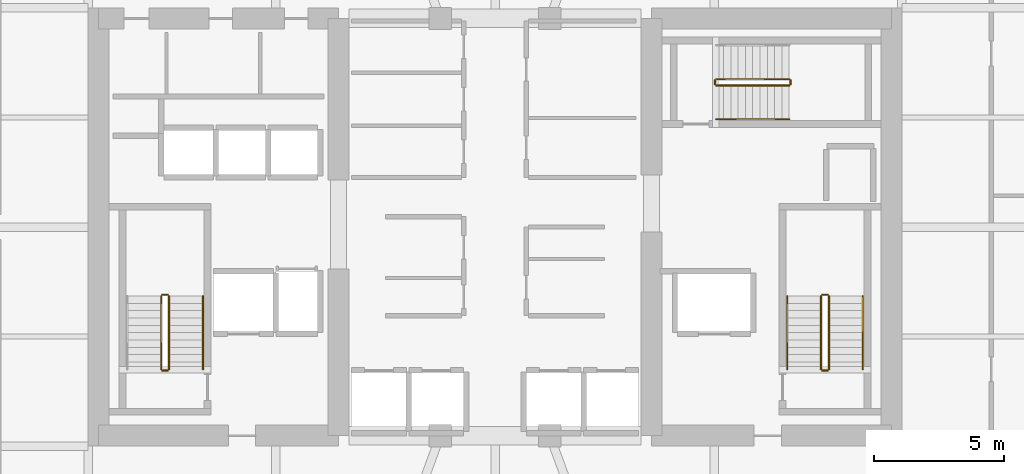
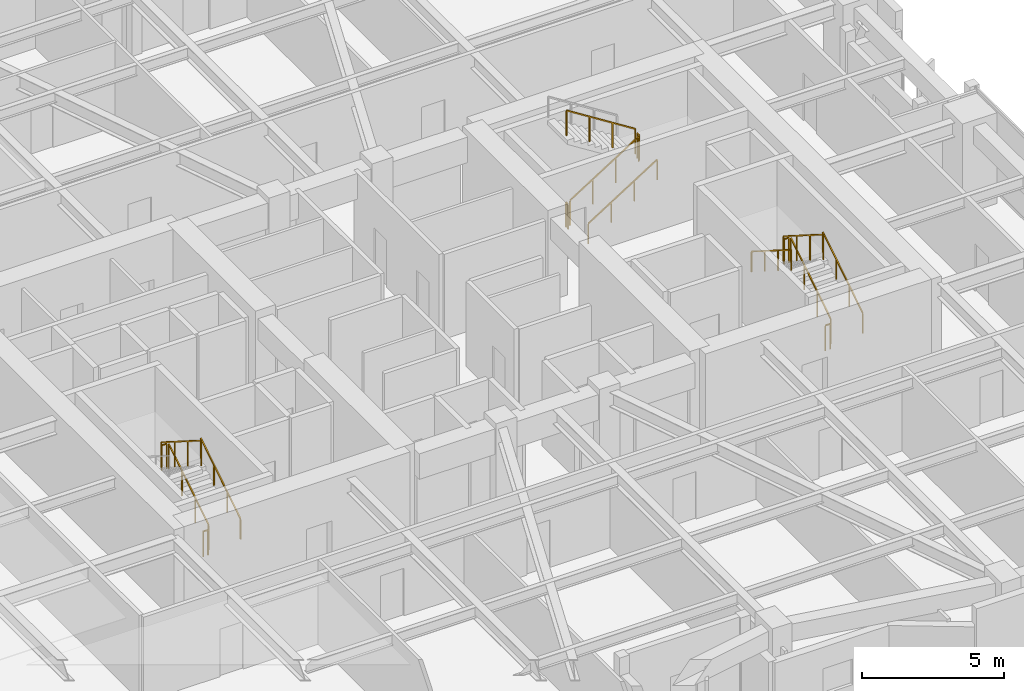
# One storey, part 23 of 24: 16 railings.
"""IFC4 building model written with IfcOpenShell, lengths in metres."""

from ifc_helpers import new_model, si_unit, direction, frame, origin, origin_2d, place, context, subcontext, project, spatial, rectangle, extrude, material, type_object, element, save


model = new_model("IFC4")

# Units and contexts
model_context = context("Model", 3, precision=1e-05, world=origin(), true_north=direction((0.0, 1.0)))
body_context = subcontext(model_context, "Body", "Model", "MODEL_VIEW")
ifc_project = project(units=[si_unit("LENGTHUNIT", "METRE"), si_unit("AREAUNIT", "SQUARE_METRE"), si_unit("VOLUMEUNIT", "CUBIC_METRE"), si_unit("PLANEANGLEUNIT", "RADIAN"), si_unit("MASSUNIT", "GRAM", prefix="KILO")], contexts=[model_context])

# Site, building, storey
site_placement = place(None, origin())
site = spatial("IfcSite", under=ifc_project, at=site_placement, CompositionType="ELEMENT")
building_placement = place(site_placement, origin())
building = spatial("IfcBuilding", under=site, at=building_placement, Name="Kiyonajd Concourse Tower", CompositionType="ELEMENT")
storey_placement = place(building_placement, frame((0.0, 0.0, 101.39990234375)))
storey = spatial("IfcBuildingStorey", under=building, at=storey_placement, Name="L26", CompositionType="ELEMENT", Elevation=101.39990234375)

# Railings
ifc_material_1 = material(Name="Steel ASTM A500 Grade C", Category="steel")
railing_type_1 = type_object("IfcRailingType", Name="RL-GRD-STR", PredefinedType="GUARDRAIL", material=ifc_material_1)
railing_1_placement = place(storey_placement, frame((35.5, 30.550048828125, 0.177490234375)))
element("IfcRailing", 1, at=railing_1_placement, inside=storey, type_object=railing_type_1, Name="L26 ST1 stair guard 1", PredefinedType="GUARDRAIL", context=body_context, shape_type="SweptSolid", body=[
    extrude(rectangle(XDim=0.048095703125, YDim=0.048095703125, at=origin_2d()), frame((0.0, 0.0, 1.076171875), z_axis=(0.0, 0.844908973607, 0.534910110503), x_axis=(-1.0, 0.0, 0.0)), (0.0, 0.0, 1.0), 3.31396484375),
    extrude(rectangle(XDim=0.0419921875, YDim=0.0419921875, at=origin_2d()), origin(), (0.0, 0.0, 1.0), 1.052001953125),
    extrude(rectangle(XDim=0.0419921875, YDim=0.0419921875, at=origin_2d()), frame((0.0, 0.933349609375, 0.5908203125)), (0.0, 0.0, 1.0), 1.052001953125),
    extrude(rectangle(XDim=0.0419921875, YDim=0.0419921875, at=origin_2d()), frame((0.0, 1.86669921875, 1.181884765625)), (0.0, 0.0, 1.0), 1.052001953125),
    extrude(rectangle(XDim=0.0419921875, YDim=0.0419921875, at=origin_2d()), frame((0.0, 2.800048828125, 1.772705078125)), (0.0, 0.0, 1.0), 1.052001953125),
])
railing_2_placement = place(storey_placement, frame((35.449951171875, 33.39990234375, 1.9501953125)))
element("IfcRailing", 2, at=railing_2_placement, inside=storey, type_object=railing_type_1, Name="L26 ST1 stair guard 2", PredefinedType="GUARDRAIL", context=body_context, shape_type="SweptSolid", body=[
    extrude(rectangle(XDim=0.048095703125, YDim=0.048095703125, at=origin_2d()), frame((0.0, 0.0, 1.076171875), z_axis=(-1.0, 0.0, 0.0), x_axis=(0.0, -1.0, 0.0)), (0.0, 0.0, 1.0), 0.199951171875),
    extrude(rectangle(XDim=0.0419921875, YDim=0.0419921875, at=origin_2d()), origin(), (0.0, 0.0, 1.0), 1.052001953125),
    extrude(rectangle(XDim=0.0419921875, YDim=0.0419921875, at=origin_2d()), frame((-0.199951171875, 0.0, 0.0)), (0.0, 0.0, 1.0), 1.052001953125),
])
railing_3_placement = place(storey_placement, frame((35.199951171875, 33.35009765625, 2.12744140625)))
element("IfcRailing", 3, at=railing_3_placement, inside=storey, type_object=railing_type_1, Name="L26 ST1 stair guard 3", PredefinedType="GUARDRAIL", context=body_context, shape_type="SweptSolid", body=[
    extrude(rectangle(XDim=0.048095703125, YDim=0.048095703125, at=origin_2d()), frame((0.0, 0.0, 1.076171875), z_axis=(0.0, -0.844908973607, 0.534910110503), x_axis=(1.0, 0.0, 0.0)), (0.0, 0.0, 1.0), 3.31396484375),
    extrude(rectangle(XDim=0.0419921875, YDim=0.0419921875, at=origin_2d()), origin(), (0.0, 0.0, 1.0), 1.052001953125),
    extrude(rectangle(XDim=0.0419921875, YDim=0.0419921875, at=origin_2d()), frame((0.0, -0.933349609375, 0.5908203125)), (0.0, 0.0, 1.0), 1.052001953125),
    extrude(rectangle(XDim=0.0419921875, YDim=0.0419921875, at=origin_2d()), frame((0.0, -1.86669921875, 1.181884765625)), (0.0, 0.0, 1.0), 1.052001953125),
    extrude(rectangle(XDim=0.0419921875, YDim=0.0419921875, at=origin_2d()), frame((0.0, -2.800048828125, 1.772705078125)), (0.0, 0.0, 1.0), 1.052001953125),
])
railing_4_placement = place(storey_placement, frame((35.449951171875, 30.5, 0.0)))
element("IfcRailing", 4, at=railing_4_placement, inside=storey, type_object=railing_type_1, Name="L26 ST1 stair guard 4", PredefinedType="GUARDRAIL", context=body_context, shape_type="SweptSolid", body=[
    extrude(rectangle(XDim=0.048095703125, YDim=0.048095703125, at=origin_2d()), frame((0.0, 0.0, 1.076171875), z_axis=(-1.0, 0.0, 0.0), x_axis=(0.0, -1.0, 0.0)), (0.0, 0.0, 1.0), 0.199951171875),
    extrude(rectangle(XDim=0.0419921875, YDim=0.0419921875, at=origin_2d()), origin(), (0.0, 0.0, 1.0), 1.052001953125),
    extrude(rectangle(XDim=0.0419921875, YDim=0.0419921875, at=origin_2d()), frame((-0.199951171875, 0.0, 0.0)), (0.0, 0.0, 1.0), 1.052001953125),
])
railing_5_placement = place(storey_placement, frame((60.800048828125, 30.550048828125, 0.177490234375)))
element("IfcRailing", 5, at=railing_5_placement, inside=storey, type_object=railing_type_1, Name="L26 ST2 stair guard 1", PredefinedType="GUARDRAIL", context=body_context, shape_type="SweptSolid", body=[
    extrude(rectangle(XDim=0.048095703125, YDim=0.048095703125, at=origin_2d()), frame((0.0, 0.0, 1.076171875), z_axis=(0.0, 0.844908973607, 0.534910110503), x_axis=(-1.0, 0.0, 0.0)), (0.0, 0.0, 1.0), 3.31396484375),
    extrude(rectangle(XDim=0.0419921875, YDim=0.0419921875, at=origin_2d()), origin(), (0.0, 0.0, 1.0), 1.052001953125),
    extrude(rectangle(XDim=0.0419921875, YDim=0.0419921875, at=origin_2d()), frame((0.0, 0.933349609375, 0.5908203125)), (0.0, 0.0, 1.0), 1.052001953125),
    extrude(rectangle(XDim=0.0419921875, YDim=0.0419921875, at=origin_2d()), frame((0.0, 1.86669921875, 1.181884765625)), (0.0, 0.0, 1.0), 1.052001953125),
    extrude(rectangle(XDim=0.0419921875, YDim=0.0419921875, at=origin_2d()), frame((0.0, 2.800048828125, 1.772705078125)), (0.0, 0.0, 1.0), 1.052001953125),
])
railing_6_placement = place(storey_placement, frame((60.75, 33.39990234375, 1.9501953125)))
element("IfcRailing", 6, at=railing_6_placement, inside=storey, type_object=railing_type_1, Name="L26 ST2 stair guard 2", PredefinedType="GUARDRAIL", context=body_context, shape_type="SweptSolid", body=[
    extrude(rectangle(XDim=0.048095703125, YDim=0.048095703125, at=origin_2d()), frame((0.0, 0.0, 1.076171875), z_axis=(-1.0, 0.0, 0.0), x_axis=(0.0, -1.0, 0.0)), (0.0, 0.0, 1.0), 0.199951171875),
    extrude(rectangle(XDim=0.0419921875, YDim=0.0419921875, at=origin_2d()), origin(), (0.0, 0.0, 1.0), 1.052001953125),
    extrude(rectangle(XDim=0.0419921875, YDim=0.0419921875, at=origin_2d()), frame((-0.199951171875, 0.0, 0.0)), (0.0, 0.0, 1.0), 1.052001953125),
])
railing_7_placement = place(storey_placement, frame((60.5, 33.35009765625, 2.12744140625)))
element("IfcRailing", 7, at=railing_7_placement, inside=storey, type_object=railing_type_1, Name="L26 ST2 stair guard 3", PredefinedType="GUARDRAIL", context=body_context, shape_type="SweptSolid", body=[
    extrude(rectangle(XDim=0.048095703125, YDim=0.048095703125, at=origin_2d()), frame((0.0, 0.0, 1.076171875), z_axis=(0.0, -0.844908973607, 0.534910110503), x_axis=(1.0, 0.0, 0.0)), (0.0, 0.0, 1.0), 3.31396484375),
    extrude(rectangle(XDim=0.0419921875, YDim=0.0419921875, at=origin_2d()), origin(), (0.0, 0.0, 1.0), 1.052001953125),
    extrude(rectangle(XDim=0.0419921875, YDim=0.0419921875, at=origin_2d()), frame((0.0, -0.933349609375, 0.5908203125)), (0.0, 0.0, 1.0), 1.052001953125),
    extrude(rectangle(XDim=0.0419921875, YDim=0.0419921875, at=origin_2d()), frame((0.0, -1.86669921875, 1.181884765625)), (0.0, 0.0, 1.0), 1.052001953125),
    extrude(rectangle(XDim=0.0419921875, YDim=0.0419921875, at=origin_2d()), frame((0.0, -2.800048828125, 1.772705078125)), (0.0, 0.0, 1.0), 1.052001953125),
])
railing_8_placement = place(storey_placement, frame((60.75, 30.5, 0.0)))
element("IfcRailing", 8, at=railing_8_placement, inside=storey, type_object=railing_type_1, Name="L26 ST2 stair guard 4", PredefinedType="GUARDRAIL", context=body_context, shape_type="SweptSolid", body=[
    extrude(rectangle(XDim=0.048095703125, YDim=0.048095703125, at=origin_2d()), frame((0.0, 0.0, 1.076171875), z_axis=(-1.0, 0.0, 0.0), x_axis=(0.0, -1.0, 0.0)), (0.0, 0.0, 1.0), 0.199951171875),
    extrude(rectangle(XDim=0.0419921875, YDim=0.0419921875, at=origin_2d()), origin(), (0.0, 0.0, 1.0), 1.052001953125),
    extrude(rectangle(XDim=0.0419921875, YDim=0.0419921875, at=origin_2d()), frame((-0.199951171875, 0.0, 0.0)), (0.0, 0.0, 1.0), 1.052001953125),
])
railing_9_placement = place(storey_placement, frame((56.47998046875, 41.429931640625, 0.177490234375)))
element("IfcRailing", 9, at=railing_9_placement, inside=storey, type_object=railing_type_1, Name="L26 ST3 stair guard 1", PredefinedType="GUARDRAIL", context=body_context, shape_type="SweptSolid", body=[
    extrude(rectangle(XDim=0.048095703125, YDim=0.048095703125, at=origin_2d()), frame((0.0, 0.0, 1.076171875), z_axis=(0.844908973607, 0.0, 0.534910110503), x_axis=(0.0, 1.0, 0.0)), (0.0, 0.0, 1.0), 3.31396484375),
    extrude(rectangle(XDim=0.0419921875, YDim=0.0419921875, at=origin_2d()), origin(), (0.0, 0.0, 1.0), 1.052001953125),
    extrude(rectangle(XDim=0.0419921875, YDim=0.0419921875, at=origin_2d()), frame((0.933349609375, 0.0, 0.5908203125)), (0.0, 0.0, 1.0), 1.052001953125),
    extrude(rectangle(XDim=0.0419921875, YDim=0.0419921875, at=origin_2d()), frame((1.86669921875, 0.0, 1.181884765625)), (0.0, 0.0, 1.0), 1.052001953125),
    extrude(rectangle(XDim=0.0419921875, YDim=0.0419921875, at=origin_2d()), frame((2.800048828125, 0.0, 1.772705078125)), (0.0, 0.0, 1.0), 1.052001953125),
])
railing_10_placement = place(storey_placement, frame((59.330078125, 41.47998046875, 1.9501953125)))
element("IfcRailing", 10, at=railing_10_placement, inside=storey, type_object=railing_type_1, Name="L26 ST3 stair guard 2", PredefinedType="GUARDRAIL", context=body_context, shape_type="SweptSolid", body=[
    extrude(rectangle(XDim=0.048095703125, YDim=0.048095703125, at=origin_2d()), frame((0.0, 0.0, 1.076171875), z_axis=(0.0, 1.0, 0.0), x_axis=(-1.0, 0.0, 0.0)), (0.0, 0.0, 1.0), 0.14013671875),
    extrude(rectangle(XDim=0.0419921875, YDim=0.0419921875, at=origin_2d()), origin(), (0.0, 0.0, 1.0), 1.052001953125),
    extrude(rectangle(XDim=0.0419921875, YDim=0.0419921875, at=origin_2d()), frame((0.0, 0.14013671875, 0.0)), (0.0, 0.0, 1.0), 1.052001953125),
])
railing_11_placement = place(storey_placement, frame((59.280029296875, 41.669921875, 2.12744140625)))
element("IfcRailing", 11, at=railing_11_placement, inside=storey, type_object=railing_type_1, Name="L26 ST3 stair guard 3", PredefinedType="GUARDRAIL", context=body_context, shape_type="SweptSolid", body=[
    extrude(rectangle(XDim=0.048095703125, YDim=0.048095703125, at=origin_2d()), frame((0.0, 0.0, 1.076171875), z_axis=(-0.844908973607, 0.0, 0.534910110503), x_axis=(0.0, -1.0, 0.0)), (0.0, 0.0, 1.0), 3.31396484375),
    extrude(rectangle(XDim=0.0419921875, YDim=0.0419921875, at=origin_2d()), origin(), (0.0, 0.0, 1.0), 1.052001953125),
    extrude(rectangle(XDim=0.0419921875, YDim=0.0419921875, at=origin_2d()), frame((-0.933349609375, 0.0, 0.5908203125)), (0.0, 0.0, 1.0), 1.052001953125),
    extrude(rectangle(XDim=0.0419921875, YDim=0.0419921875, at=origin_2d()), frame((-1.86669921875, 0.0, 1.181884765625)), (0.0, 0.0, 1.0), 1.052001953125),
    extrude(rectangle(XDim=0.0419921875, YDim=0.0419921875, at=origin_2d()), frame((-2.800048828125, 0.0, 1.772705078125)), (0.0, 0.0, 1.0), 1.052001953125),
])
railing_12_placement = place(storey_placement, frame((56.429931640625, 41.47998046875, 0.0)))
element("IfcRailing", 12, at=railing_12_placement, inside=storey, type_object=railing_type_1, Name="L26 ST3 stair guard 4", PredefinedType="GUARDRAIL", context=body_context, shape_type="SweptSolid", body=[
    extrude(rectangle(XDim=0.048095703125, YDim=0.048095703125, at=origin_2d()), frame((0.0, 0.0, 1.076171875), z_axis=(0.0, 1.0, 0.0), x_axis=(-1.0, 0.0, 0.0)), (0.0, 0.0, 1.0), 0.14013671875),
    extrude(rectangle(XDim=0.0419921875, YDim=0.0419921875, at=origin_2d()), origin(), (0.0, 0.0, 1.0), 1.052001953125),
    extrude(rectangle(XDim=0.0419921875, YDim=0.0419921875, at=origin_2d()), frame((0.0, 0.14013671875, 0.0)), (0.0, 0.0, 1.0), 1.052001953125),
])
ifc_material_2 = material(Name="Brushed Stainless Steel Cab Assembly", Category="steel")
railing_type_2 = type_object("IfcRailingType", Name="RL-HND-900", PredefinedType="HANDRAIL", material=ifc_material_2)
for number, where, name in (
    (13, (36.800048828125, 30.550048828125, 0.177490234375), "L26 ST1 stair handrail 1"),
    (14, (62.10009765625, 30.550048828125, 0.177490234375), "L26 ST2 stair handrail 1"),
):
    element("IfcRailing", number, at=place(storey_placement, frame(where)), inside=storey, type_object=railing_type_2, Name=name, PredefinedType="HANDRAIL", context=body_context, shape_type="SweptSolid", body=[
        extrude(rectangle(XDim=0.048095703125, YDim=0.048095703125, at=origin_2d()), frame((0.0, 0.0, 0.8759765625), z_axis=(0.0, 0.844908973607, 0.534910110503), x_axis=(-1.0, 0.0, 0.0)), (0.0, 0.0, 1.0), 3.31396484375),
        extrude(rectangle(XDim=0.0419921875, YDim=0.0419921875, at=origin_2d()), origin(), (0.0, 0.0, 1.0), 0.851806640625),
        extrude(rectangle(XDim=0.0419921875, YDim=0.0419921875, at=origin_2d()), frame((0.0, 0.933349609375, 0.5908203125)), (0.0, 0.0, 1.0), 0.851806640625),
        extrude(rectangle(XDim=0.0419921875, YDim=0.0419921875, at=origin_2d()), frame((0.0, 1.86669921875, 1.181884765625)), (0.0, 0.0, 1.0), 0.851806640625),
        extrude(rectangle(XDim=0.0419921875, YDim=0.0419921875, at=origin_2d()), frame((0.0, 2.800048828125, 1.772705078125)), (0.0, 0.0, 1.0), 0.851806640625),
    ])
railing_13_placement = place(storey_placement, frame((59.199951171875, 33.35009765625, 2.12744140625)))
element("IfcRailing", 15, at=railing_13_placement, inside=storey, type_object=railing_type_2, Name="L26 ST2 stair handrail 2", PredefinedType="HANDRAIL", context=body_context, shape_type="SweptSolid", body=[
    extrude(rectangle(XDim=0.048095703125, YDim=0.048095703125, at=origin_2d()), frame((0.0, 0.0, 0.8759765625), z_axis=(0.0, -0.844908973607, 0.534910110503), x_axis=(1.0, 0.0, 0.0)), (0.0, 0.0, 1.0), 3.31396484375),
    extrude(rectangle(XDim=0.0419921875, YDim=0.0419921875, at=origin_2d()), origin(), (0.0, 0.0, 1.0), 0.851806640625),
    extrude(rectangle(XDim=0.0419921875, YDim=0.0419921875, at=origin_2d()), frame((0.0, -0.933349609375, 0.5908203125)), (0.0, 0.0, 1.0), 0.851806640625),
    extrude(rectangle(XDim=0.0419921875, YDim=0.0419921875, at=origin_2d()), frame((0.0, -1.86669921875, 1.181884765625)), (0.0, 0.0, 1.0), 0.851806640625),
    extrude(rectangle(XDim=0.0419921875, YDim=0.0419921875, at=origin_2d()), frame((0.0, -2.800048828125, 1.772705078125)), (0.0, 0.0, 1.0), 0.851806640625),
])
railing_14_placement = place(storey_placement, frame((56.47998046875, 40.1298828125, 0.177490234375)))
element("IfcRailing", 16, at=railing_14_placement, inside=storey, type_object=railing_type_2, Name="L26 ST3 stair handrail 1", PredefinedType="HANDRAIL", context=body_context, shape_type="SweptSolid", body=[
    extrude(rectangle(XDim=0.048095703125, YDim=0.048095703125, at=origin_2d()), frame((0.0, 0.0, 0.8759765625), z_axis=(0.844908973607, 0.0, 0.534910110503), x_axis=(0.0, 1.0, 0.0)), (0.0, 0.0, 1.0), 3.31396484375),
    extrude(rectangle(XDim=0.0419921875, YDim=0.0419921875, at=origin_2d()), origin(), (0.0, 0.0, 1.0), 0.851806640625),
    extrude(rectangle(XDim=0.0419921875, YDim=0.0419921875, at=origin_2d()), frame((0.933349609375, 0.0, 0.5908203125)), (0.0, 0.0, 1.0), 0.851806640625),
    extrude(rectangle(XDim=0.0419921875, YDim=0.0419921875, at=origin_2d()), frame((1.86669921875, 0.0, 1.181884765625)), (0.0, 0.0, 1.0), 0.851806640625),
    extrude(rectangle(XDim=0.0419921875, YDim=0.0419921875, at=origin_2d()), frame((2.800048828125, 0.0, 1.772705078125)), (0.0, 0.0, 1.0), 0.851806640625),
])

save(model, "model.ifc")
